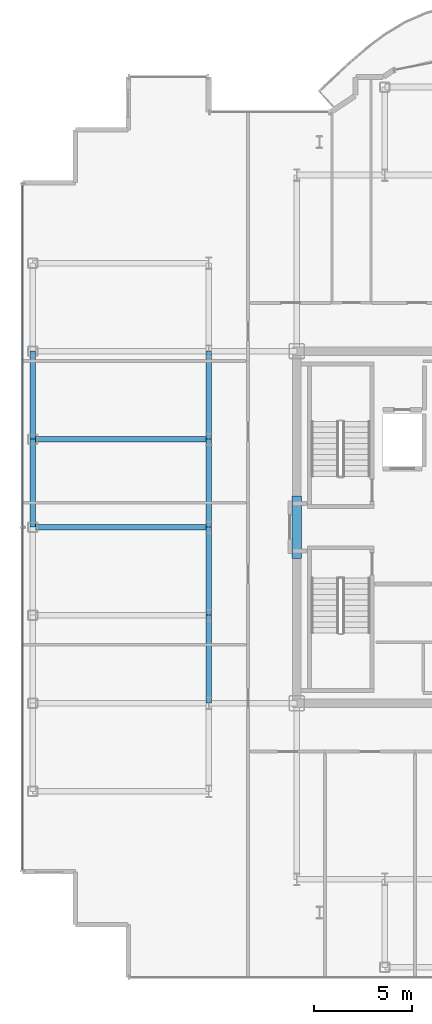
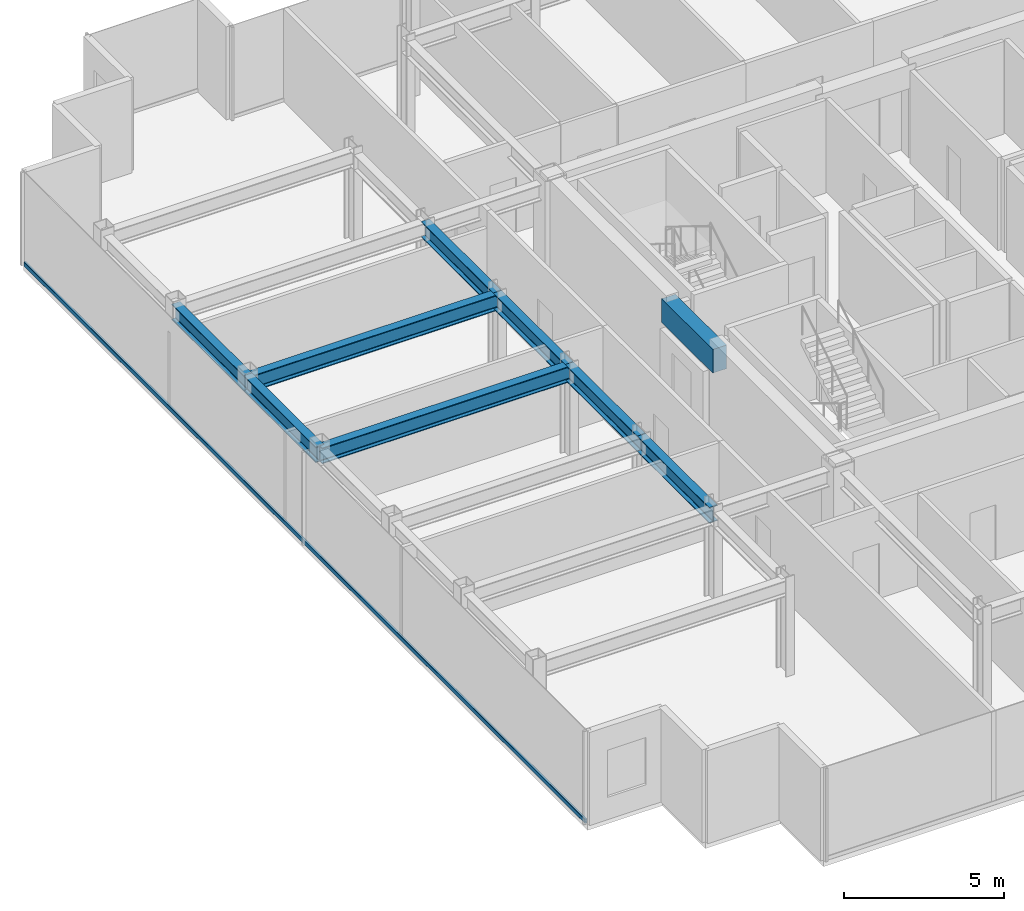
# One storey, part 5 of 18: 9 beams, 1 member, 1 element without a shape of its own.
"""IFC4 building model written with IfcOpenShell, lengths in metres."""

from ifc_helpers import new_model, si_unit, direction, frame, origin, origin_2d, place, context, subcontext, project, spatial, rectangle, hollow_rectangle, i_section, extrude, source, transform, mapped, material, layer, layer_set, material_profile, profile_set, type_object, element, aggregate, save


model = new_model("IFC4")

# Units and contexts
model_context = context("Model", 3, precision=1e-05, world=origin(), true_north=direction((0.0, 1.0)))
body_context = subcontext(model_context, "Body", "Model", "MODEL_VIEW")
ifc_project = project(units=[si_unit("LENGTHUNIT", "METRE"), si_unit("AREAUNIT", "SQUARE_METRE"), si_unit("VOLUMEUNIT", "CUBIC_METRE"), si_unit("PLANEANGLEUNIT", "RADIAN"), si_unit("MASSUNIT", "GRAM", prefix="KILO")], contexts=[model_context])

# Site, building, storey
site_placement = place(None, origin())
site = spatial("IfcSite", under=ifc_project, at=site_placement, CompositionType="ELEMENT")
building_placement = place(site_placement, origin())
building = spatial("IfcBuilding", under=site, at=building_placement, Name="Nefas-Gora Pilgrimage Tower", CompositionType="ELEMENT")
storey_placement = place(building_placement, frame((0.0, 0.0, 291.199951171875)))
storey = spatial("IfcBuildingStorey", under=building, at=storey_placement, Name="L73", CompositionType="ELEMENT", Elevation=291.199951171875)

# Beams
ifc_material_1 = material(Name="Concrete C50/60", Category="concrete")
ifc_material_profile_1 = material_profile(ifc_material_1, rectangle(XDim=0.5, YDim=0.89990234375, at=origin_2d()), Name="RC 500x900")
ifc_profile_set_1 = profile_set([ifc_material_profile_1], Name="Concrete C50/60")
beam_type_1 = type_object("IfcBeamType", Name="BM-LIN-RC900", PredefinedType="LINTEL", material=ifc_profile_set_1)
shared_shape_1 = source(origin(), body_context, "Body", "SweptSolid", [
    extrude(rectangle(XDim=0.5, YDim=0.89990234375, at=origin_2d()), origin(), (0.0, 0.0, 1.0), 3.2001953125),
])
beam_placement = place(storey_placement, frame((-11.25, -1.60009765625, 3.10009765625), z_axis=(0.0, 1.0, 0.0), x_axis=(-1.0, 0.0, 0.0)))
element("IfcBeam", 1, at=beam_placement, inside=storey, type_object=beam_type_1, Name="L73 Core Coupling Lintel Beam W", PredefinedType="LINTEL", context=body_context, shape_type="MappedRepresentation", body=[
    mapped(shared_shape_1, transform((0.0, 0.0, 0.0), x_axis=(1.0, 0.0, 0.0), y_axis=(0.0, 1.0, 0.0), z_axis=(0.0, 0.0, 1.0), scale=1.0)),
])
ifc_material_2 = material(Name="Steel S355", Category="steel")
ifc_material_profile_2 = material_profile(ifc_material_2, i_section(OverallWidth=0.300048828125, OverallDepth=0.60009765625, WebThickness=0.015380859375, FlangeThickness=0.030029296875, FilletRadius=0.027099609375, at=origin_2d()), Name="HEB 600")
ifc_profile_set_2 = profile_set([ifc_material_profile_2], Name="Steel S355")
beam_type_2 = type_object("IfcBeamType", Name="BM-SPN-HEB450", PredefinedType="SPANDREL", material=ifc_profile_set_2)
shared_shape_2 = source(origin(), body_context, "Body", "SweptSolid", [
    extrude(i_section(OverallWidth=0.300048828125, OverallDepth=0.60009765625, WebThickness=0.015380859375, FlangeThickness=0.030029296875, FilletRadius=0.027099609375, at=origin_2d()), origin(), (0.0, 0.0, 1.0), 4.5),
])
for number, where, z_axis, x_axis, name in (
    (2, (-24.75, 0.0, 3.25), (0.0, 1.0, 0.0), (-1.0, 0.0, 0.0), "L73 SP-03 beam"),
    (3, (-24.75, 4.5, 3.25), (0.0, 1.0, 0.0), (-1.0, 0.0, 0.0), "L73 SP-03 beam"),
):
    element("IfcBeam", number, at=place(storey_placement, frame(where, z_axis=z_axis, x_axis=x_axis)), inside=storey, type_object=beam_type_2, Name=name, PredefinedType="SPANDREL", context=body_context, shape_type="MappedRepresentation", body=[
        mapped(shared_shape_2, transform((0.0, 0.0, 0.0), x_axis=(1.0, 0.0, 0.0), y_axis=(0.0, 1.0, 0.0), z_axis=(0.0, 0.0, 1.0), scale=1.0)),
    ])
ifc_material_profile_3 = material_profile(ifc_material_2, i_section(OverallWidth=0.300048828125, OverallDepth=0.60009765625, WebThickness=0.015380859375, FlangeThickness=0.030029296875, FilletRadius=0.027099609375, at=origin_2d()), Name="HEB 600")
ifc_profile_set_3 = profile_set([ifc_material_profile_3], Name="Steel S355")
beam_type_3 = type_object("IfcBeamType", Name="BM-GIR-HEB600", PredefinedType="BEAM", material=ifc_profile_set_3)
shared_shape_3 = source(origin(), body_context, "Body", "SweptSolid", [
    extrude(i_section(OverallWidth=0.300048828125, OverallDepth=0.60009765625, WebThickness=0.015380859375, FlangeThickness=0.030029296875, FilletRadius=0.027099609375, at=origin_2d()), origin(), (0.0, 0.0, 1.0), 9.0),
])
for number, where, z_axis, x_axis, name in (
    (4, (-24.75, 0.0, 3.25), (1.0, 0.0, 0.0), (0.0, 1.0, 0.0), "L73 G-04 beam"),
    (5, (-24.75, 4.5, 3.25), (1.0, 0.0, 0.0), (0.0, 1.0, 0.0), "L73 G-04 beam"),
):
    element("IfcBeam", number, at=place(storey_placement, frame(where, z_axis=z_axis, x_axis=x_axis)), inside=storey, type_object=beam_type_3, Name=name, PredefinedType="BEAM", context=body_context, shape_type="MappedRepresentation", body=[
        mapped(shared_shape_3, transform((0.0, 0.0, 0.0), x_axis=(1.0, 0.0, 0.0), y_axis=(0.0, 1.0, 0.0), z_axis=(0.0, 0.0, 1.0), scale=1.0)),
    ])
shared_shape_4 = source(origin(), body_context, "Body", "SweptSolid", [
    extrude(i_section(OverallWidth=0.300048828125, OverallDepth=0.60009765625, WebThickness=0.015380859375, FlangeThickness=0.030029296875, FilletRadius=0.027099609375, at=origin_2d()), origin(), (0.0, 0.0, 1.0), 4.5),
])
for number, where, z_axis, x_axis, name in (
    (6, (-15.75, -9.0, 3.25), (0.0, 1.0, 0.0), (-1.0, 0.0, 0.0), "L73 G-04 beam"),
    (7, (-15.75, -4.5, 3.25), (0.0, 1.0, 0.0), (-1.0, 0.0, 0.0), "L73 G-04 beam"),
    (8, (-15.75, 0.0, 3.25), (0.0, 1.0, 0.0), (-1.0, 0.0, 0.0), "L73 G-04 beam"),
    (9, (-15.75, 4.5, 3.25), (0.0, 1.0, 0.0), (-1.0, 0.0, 0.0), "L73 G-04 beam"),
):
    element("IfcBeam", number, at=place(storey_placement, frame(where, z_axis=z_axis, x_axis=x_axis)), inside=storey, type_object=beam_type_3, Name=name, PredefinedType="BEAM", context=body_context, shape_type="MappedRepresentation", body=[
        mapped(shared_shape_4, transform((0.0, 0.0, 0.0), x_axis=(1.0, 0.0, 0.0), y_axis=(0.0, 1.0, 0.0), z_axis=(0.0, 0.0, 1.0), scale=1.0)),
    ])

# Curtain wall, member
ifc_material_3 = material(Name="Dark ceramic-fritted solar-control aluminium-glass curtain wall", Category="aluminium")
ifc_layer = layer(ifc_material_3, 0.219970703125)
ifc_layer_set = layer_set([ifc_layer], Name="Dark ceramic-fritted solar-control aluminium-glass curtain wall")
curtain_wall_type = type_object("IfcCurtainWallType", Name="CW-SYS-4", PredefinedType="NOTDEFINED", material=ifc_layer_set)
curtain_wall_placement = place(storey_placement, origin())
curtain_wall = element("IfcCurtainWall", 10, at=curtain_wall_placement, inside=storey, type_object=curtain_wall_type, Name="L73 Unitised Curtain Wall CW4", PredefinedType="NOTDEFINED")
ifc_material_4 = material(Name="Anodised architectural aluminium", Category="aluminium")
ifc_material_profile_4 = material_profile(ifc_material_4, hollow_rectangle(XDim=0.080078125, YDim=0.159912109375, WallThickness=0.00439453125, InnerFilletRadius=0.00439453125, OuterFilletRadius=0.009033203125, at=origin_2d()), Name="ALU TRANSOM 80x160")
ifc_profile_set_4 = profile_set([ifc_material_profile_4], Name="Anodised architectural aluminium")
member_type = type_object("IfcMemberType", Name="CWM-TRN-4", PredefinedType="USERDEFINED", material=ifc_profile_set_4)
shared_shape_5 = source(origin(), body_context, "Body", "SweptSolid", [
    extrude(hollow_rectangle(XDim=0.080078125, YDim=0.159912109375, WallThickness=0.00439453125, InnerFilletRadius=0.00439453125, OuterFilletRadius=0.009033203125, at=origin_2d()), origin(), (0.0, 0.0, 1.0), 35.06005859375),
])
member_placement = place(storey_placement, frame((-25.27001953125, 17.530029296875, 0.050048828125), z_axis=(0.0, -1.0, 0.0), x_axis=(1.0, 0.0, 0.0)))
member = element("IfcMember", 11, at=member_placement, type_object=member_type, Name="CW4 Spandrel Transom", ObjectType="TRANSOM", PredefinedType="USERDEFINED", context=body_context, shape_type="MappedRepresentation", body=[
    mapped(shared_shape_5, transform((0.0, 0.0, 0.0), x_axis=(1.0, 0.0, 0.0), y_axis=(0.0, 1.0, 0.0), z_axis=(0.0, 0.0, 1.0), scale=1.0)),
])
aggregate(curtain_wall, [member])

save(model, "model.ifc")
